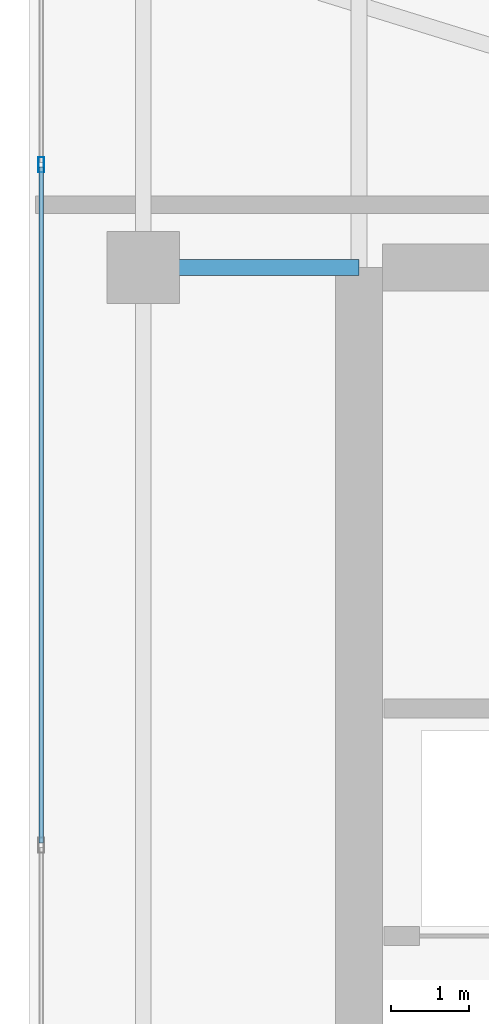
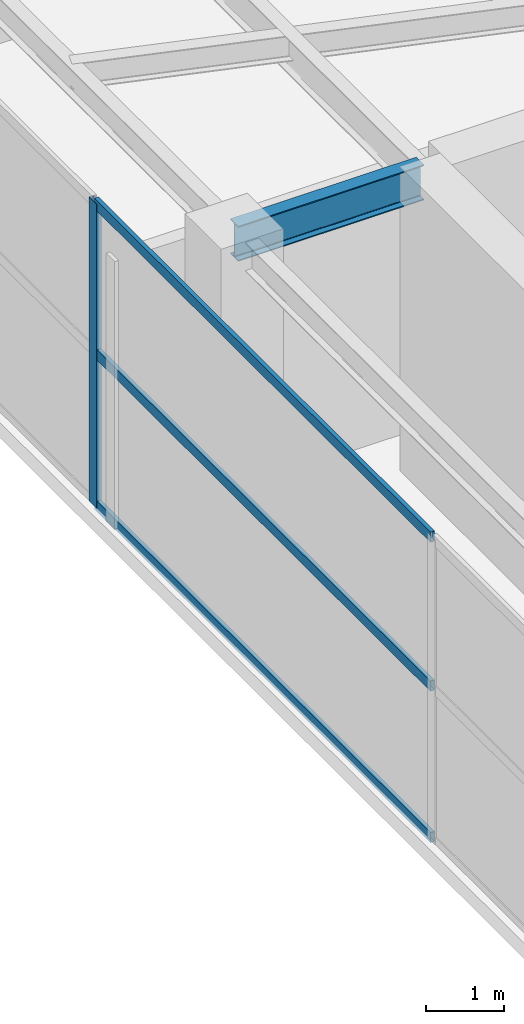
# One storey, part 12 of 20: 4 members, 1 beam, 1 element without a shape of its own.
"""IFC4 building model written with IfcOpenShell, lengths in metres."""

from ifc_helpers import new_model, si_unit, direction, frame, origin, origin_2d, place, context, subcontext, project, spatial, hollow_rectangle, i_section, extrude, material, layer, layer_set, material_profile, profile_set, type_object, element, aggregate, save


model = new_model("IFC4")

# Units and contexts
model_context = context("Model", 3, precision=1e-05, world=origin(), true_north=direction((0.0, 1.0)))
body_context = subcontext(model_context, "Body", "Model", "MODEL_VIEW")
ifc_project = project(units=[si_unit("LENGTHUNIT", "METRE"), si_unit("AREAUNIT", "SQUARE_METRE"), si_unit("VOLUMEUNIT", "CUBIC_METRE"), si_unit("PLANEANGLEUNIT", "RADIAN"), si_unit("MASSUNIT", "GRAM", prefix="KILO")], contexts=[model_context])

# Site, building, storey
site_placement = place(None, origin())
site = spatial("IfcSite", under=ifc_project, at=site_placement, CompositionType="ELEMENT")
building_placement = place(site_placement, origin())
building = spatial("IfcBuilding", under=site, at=building_placement, Name="Calvorn Quay Hotel", CompositionType="ELEMENT")
storey_placement = place(building_placement, frame((0.0, 0.0, 335.5)))
storey = spatial("IfcBuildingStorey", under=building, at=storey_placement, Name="L82", CompositionType="ELEMENT", Elevation=335.5)

# Beam
ifc_material_1 = material(Name="Steel Q355B", Category="steel")
ifc_material_profile_1 = material_profile(ifc_material_1, i_section(OverallWidth=0.199951171875, OverallDepth=0.550048828125, WebThickness=0.010009765625, FlangeThickness=0.01611328125, FilletRadius=0.01806640625, at=origin_2d()), Name="HN550x200x10x16")
ifc_profile_set_1 = profile_set([ifc_material_profile_1], Name="Steel Q355B")
beam_type = type_object("IfcBeamType", Name="BM-GIRD-UPP", PredefinedType="BEAM", material=ifc_profile_set_1)
beam_placement = place(storey_placement, frame((1.449951171875, 38.39990234375, 4.465087890625), z_axis=(1.0, 0.0, 0.0), x_axis=(0.0, 1.0, 0.0)))
element("IfcBeam", 1, at=beam_placement, inside=storey, type_object=beam_type, Name="Beam BG-L82-W3", PredefinedType="BEAM", context=body_context, shape_type="SweptSolid", body=[
    extrude(i_section(OverallWidth=0.199951171875, OverallDepth=0.550048828125, WebThickness=0.010009765625, FlangeThickness=0.01611328125, FilletRadius=0.01806640625, at=origin_2d()), origin(), (0.0, 0.0, 1.0), 2.75),
])

# Curtain wall, members
ifc_material_2 = material(Name="Pale Anodised Aluminium and Laminated Glass", Category="aluminium")
ifc_layer = layer(ifc_material_2, 0.219970703125)
ifc_layer_set = layer_set([ifc_layer], Name="CW-SYS-CRN")
curtain_wall_type = type_object("IfcCurtainWallType", Name="CW-SYS-CRN", PredefinedType="NOTDEFINED", material=ifc_layer_set)
curtain_wall_placement = place(storey_placement, origin())
curtain_wall = element("IfcCurtainWall", 2, at=curtain_wall_placement, inside=storey, type_object=curtain_wall_type, Name="Crown Curtain Wall L82-C5", PredefinedType="NOTDEFINED")
ifc_material_3 = material(Name="Pale Anodised Aluminium 6063-T6", Category="aluminium")
ifc_material_profile_2 = material_profile(ifc_material_3, hollow_rectangle(XDim=0.072021484375, YDim=0.195068359375, WallThickness=0.00390625, at=origin_2d()), Name="ALU-M195x72x4")
ifc_profile_set_2 = profile_set([ifc_material_profile_2], Name="Pale Anodised Aluminium 6063-T6")
member_type_1 = type_object("IfcMemberType", Name="CW-SYS-CRN-MUL", PredefinedType="MULLION", material=ifc_profile_set_2)
member_1_placement = place(storey_placement, frame((0.14990234375, 39.7080078125, 0.0), z_axis=(0.0, 0.0, 1.0), x_axis=(1.0, 0.0, 0.0)))
member_1 = element("IfcMember", 3, at=member_1_placement, type_object=member_type_1, Name="CW-L82-C5 mullion 2", PredefinedType="MULLION", context=body_context, shape_type="SweptSolid", body=[
    extrude(hollow_rectangle(XDim=0.072021484375, YDim=0.195068359375, WallThickness=0.00390625, at=origin_2d()), origin(), (0.0, 0.0, 1.0), 4.760009765625),
])
ifc_material_4 = material(Name="Pale Anodised Aluminium 6063-T6", Category="aluminium")
ifc_material_profile_3 = material_profile(ifc_material_4, hollow_rectangle(XDim=0.06201171875, YDim=0.159912109375, WallThickness=0.00341796875, at=origin_2d()), Name="ALU-T160x62x3.5")
ifc_profile_set_3 = profile_set([ifc_material_profile_3], Name="Pale Anodised Aluminium 6063-T6")
member_type_2 = type_object("IfcMemberType", Name="CW-SYS-CRN-TRN", PredefinedType="USERDEFINED", material=ifc_profile_set_3)
member_2_placement = place(storey_placement, frame((0.14990234375, 39.677978515625, 0.030029296875), z_axis=(0.0, -1.0, 0.0), x_axis=(1.0, 0.0, 0.0)))
member_2 = element("IfcMember", 4, at=member_2_placement, type_object=member_type_2, Name="CW-L82-C5 transom 2.1", ObjectType="TRANSOM", PredefinedType="USERDEFINED", context=body_context, shape_type="SweptSolid", body=[
    extrude(hollow_rectangle(XDim=0.06201171875, YDim=0.159912109375, WallThickness=0.00341796875, at=origin_2d()), origin(), (0.0, 0.0, 1.0), 8.612060546875),
])
member_3_placement = place(storey_placement, frame((0.14990234375, 39.677978515625, 2.39990234375), z_axis=(0.0, -1.0, 0.0), x_axis=(1.0, 0.0, 0.0)))
member_3 = element("IfcMember", 5, at=member_3_placement, type_object=member_type_2, Name="CW-L82-C5 transom 2.2", ObjectType="TRANSOM", PredefinedType="USERDEFINED", context=body_context, shape_type="SweptSolid", body=[
    extrude(hollow_rectangle(XDim=0.06201171875, YDim=0.159912109375, WallThickness=0.00341796875, at=origin_2d()), origin(), (0.0, 0.0, 1.0), 8.612060546875),
])
member_4_placement = place(storey_placement, frame((0.14990234375, 39.677978515625, 4.72998046875), z_axis=(0.0, -1.0, 0.0), x_axis=(1.0, 0.0, 0.0)))
member_4 = element("IfcMember", 6, at=member_4_placement, type_object=member_type_2, Name="CW-L82-C5 transom 2.3", ObjectType="TRANSOM", PredefinedType="USERDEFINED", context=body_context, shape_type="SweptSolid", body=[
    extrude(hollow_rectangle(XDim=0.06201171875, YDim=0.159912109375, WallThickness=0.00341796875, at=origin_2d()), origin(), (0.0, 0.0, 1.0), 8.612060546875),
])
aggregate(curtain_wall, [member_1, member_2, member_3, member_4])

save(model, "model.ifc")
